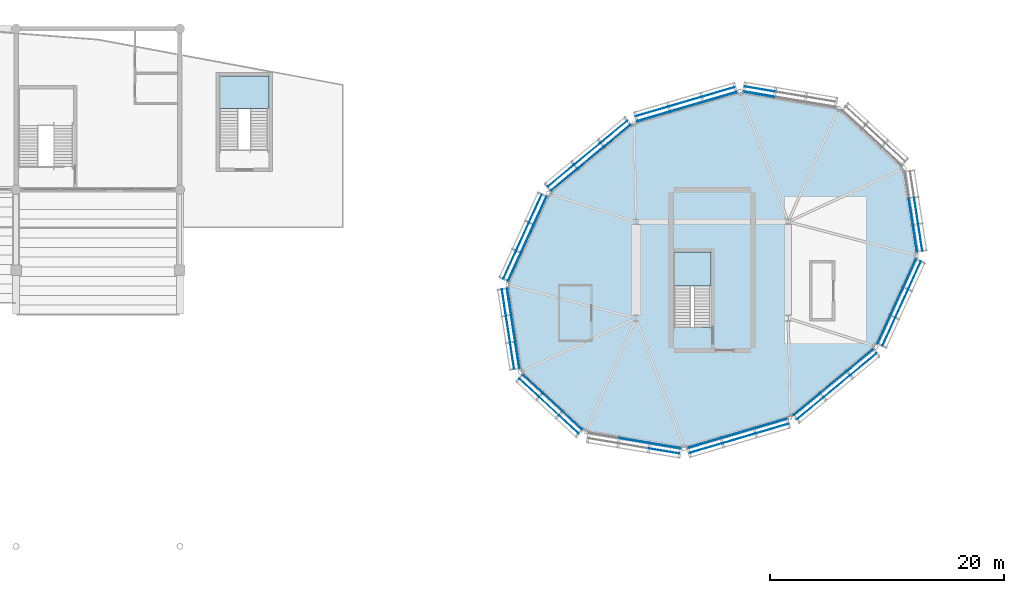
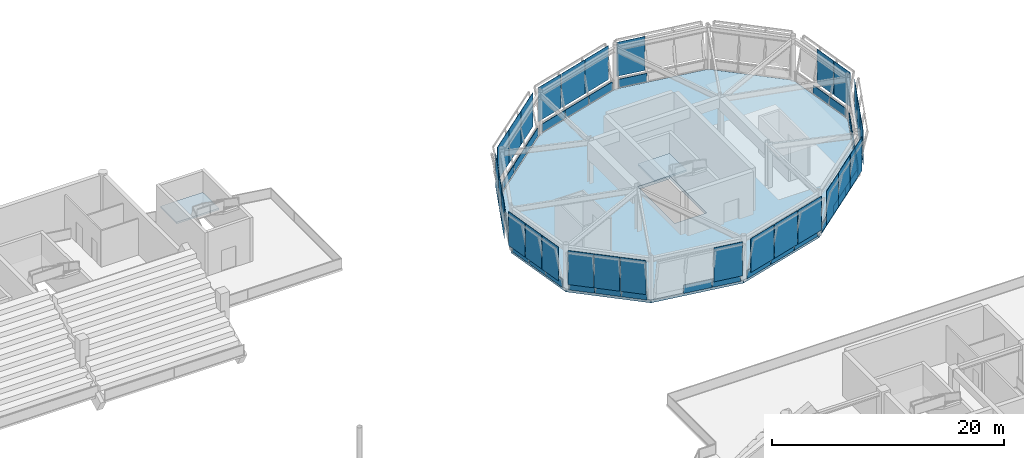
# One storey, part 64 of 94: 57 plates, 3 slabs, 13 elements without a shape of their own.
"""IFC4 building model written with IfcOpenShell, lengths in metres."""

from ifc_helpers import new_model, si_unit, direction, frame, origin, origin_2d, place, context, subcontext, project, spatial, polyline, rectangle, outline, extrude, material, layer, layer_set, type_object, element, aggregate, save


model = new_model("IFC4")

# Units and contexts
model_context = context("Model", 3, precision=1e-05, world=origin(), true_north=direction((0.0, 1.0)))
body_context = subcontext(model_context, "Body", "Model", "MODEL_VIEW")
ifc_project = project(units=[si_unit("LENGTHUNIT", "METRE"), si_unit("AREAUNIT", "SQUARE_METRE"), si_unit("VOLUMEUNIT", "CUBIC_METRE"), si_unit("PLANEANGLEUNIT", "RADIAN"), si_unit("MASSUNIT", "GRAM", prefix="KILO")], contexts=[model_context])

# Site, building, storey
site_placement = place(None, origin())
site = spatial("IfcSite", under=ifc_project, at=site_placement, CompositionType="ELEMENT")
building_placement = place(site_placement, origin())
building = spatial("IfcBuilding", under=site, at=building_placement, Name="Linyun Crest Stadium", CompositionType="ELEMENT")
storey_placement = place(building_placement, frame((0.0, 0.0, 16.199951171875)))
storey = spatial("IfcBuildingStorey", under=building, at=storey_placement, Name="L04", CompositionType="ELEMENT", Elevation=16.199951171875)

# Slab
ifc_material_1 = material(Name="Concrete C40", Category="concrete")
ifc_layer_1 = layer(ifc_material_1, 0.320068359375)
ifc_layer_set_1 = layer_set([ifc_layer_1], Name="Concrete C40")
slab_type_1 = type_object("IfcSlabType", Name="FS06", PredefinedType="FLOOR", material=ifc_layer_set_1)
slab_1_placement = place(storey_placement, frame((0.0, 0.0, -0.320068359375)))
element("IfcSlab", 1, at=slab_1_placement, inside=storey, type_object=slab_type_1, Name="Slab FS06 V5 L04 58", PredefinedType="FLOOR", context=body_context, shape_type="SweptSolid", body=[
    extrude(outline(polyline([(89.8349609375, 93.31005859375), (84.31298828125, 98.416015625), (75.89404296875, 99.825927734375), (66.833984375, 97.1630859375), (59.55908203125, 91.139892578125), (56.02099609375, 83.3720703125), (57.1650390625, 75.93994140625), (62.68701171875, 70.833984375), (71.10595703125, 69.424072265625), (80.166015625, 72.0869140625), (87.44091796875, 78.110107421875), (90.97900390625, 85.8779296875), (89.8349609375, 93.31005859375)]), holes=[polyline([(70.22509765625, 79.77001953125), (70.22509765625, 86.14990234375), (73.39990234375, 86.14990234375), (73.39990234375, 79.77001953125), (70.22509765625, 79.77001953125)])]), origin(), (0.0, 0.0, 1.0), 0.320068359375),
])

# Curtain wall, plate
ifc_material_2 = material(Name="Verdigris steel and low-E curtain wall assembly", Category="steel")
curtain_wall_type = type_object("IfcCurtainWallType", Name="MCW04", PredefinedType="NOTDEFINED", material=ifc_material_2)
curtain_wall_1_placement = place(storey_placement, origin())
curtain_wall_1 = element("IfcCurtainWall", 2, at=curtain_wall_1_placement, inside=storey, type_object=curtain_wall_type, Name="CWR-038", PredefinedType="NOTDEFINED")
ifc_material_3 = material(Name="Acoustic laminated low-E broadcast glass", Category="glass")
ifc_layer_2 = layer(ifc_material_3, 0.030029296875)
ifc_layer_set_2 = layer_set([ifc_layer_2], Name="Acoustic laminated low-E broadcast glass")
plate_type_1 = type_object("IfcPlateType", Name="GP02", PredefinedType="CURTAIN_PANEL", material=ifc_layer_set_2)
plate_1_placement = place(storey_placement, frame((77.5849609375, 100.094970703125, 0.888427734375), z_axis=(0.0, 0.0, 1.0), x_axis=(-0.986282720763, 0.165064819767, 0.0)))
plate_1 = element("IfcPlate", 3, at=plate_1_placement, type_object=plate_type_1, Name="CWR-038 panel 3.2", PredefinedType="CURTAIN_PANEL", context=body_context, shape_type="SweptSolid", body=[
    extrude(rectangle(XDim=2.59521484375, YDim=0.030029296875, at=origin_2d()), origin(), (0.0, 0.0, 1.0), 3.5830078125),
])

# Curtain wall, plates
curtain_wall_2_placement = place(storey_placement, origin())
curtain_wall_2 = element("IfcCurtainWall", 4, at=curtain_wall_2_placement, inside=storey, type_object=curtain_wall_type, Name="CWR-039", PredefinedType="NOTDEFINED")
plate_2_placement = place(storey_placement, frame((74.0380859375, 99.84912109375, 0.888427734375), z_axis=(0.0, 0.0, 1.0), x_axis=(-0.959437077917, -0.281922850294, 0.0)))
plate_2 = element("IfcPlate", 5, at=plate_2_placement, type_object=plate_type_1, Name="CWR-039 panel 1.2", PredefinedType="CURTAIN_PANEL", context=body_context, shape_type="SweptSolid", body=[
    extrude(rectangle(XDim=2.897705078125, YDim=0.030029296875, at=origin_2d()), origin(), (0.0, 0.0, 1.0), 3.5830078125),
])
plate_3_placement = place(storey_placement, frame((71.2099609375, 99.01806640625, 0.888427734375), z_axis=(0.0, 0.0, 1.0), x_axis=(-0.959437077917, -0.281922850294, 0.0)))
plate_3 = element("IfcPlate", 6, at=plate_3_placement, type_object=plate_type_1, Name="CWR-039 panel 2.2", PredefinedType="CURTAIN_PANEL", context=body_context, shape_type="SweptSolid", body=[
    extrude(rectangle(XDim=2.897705078125, YDim=0.030029296875, at=origin_2d()), origin(), (0.0, 0.0, 1.0), 3.5830078125),
])
plate_4_placement = place(storey_placement, frame((68.382080078125, 98.18701171875, 0.888427734375), z_axis=(0.0, 0.0, 1.0), x_axis=(-0.959437077917, -0.281922850294, 0.0)))
plate_4 = element("IfcPlate", 7, at=plate_4_placement, type_object=plate_type_1, Name="CWR-039 panel 3.2", PredefinedType="CURTAIN_PANEL", context=body_context, shape_type="SweptSolid", body=[
    extrude(rectangle(XDim=2.897705078125, YDim=0.030029296875, at=origin_2d()), origin(), (0.0, 0.0, 1.0), 3.5830078125),
])

curtain_wall_3_placement = place(storey_placement, origin())
curtain_wall_3 = element("IfcCurtainWall", 8, at=curtain_wall_3_placement, inside=storey, type_object=curtain_wall_type, Name="CWR-040", PredefinedType="NOTDEFINED")
plate_5_placement = place(storey_placement, frame((65.1201171875, 96.451904296875, 0.888427734375), z_axis=(0.0, 0.0, 1.0), x_axis=(-0.77024617165, -0.637746685651, 0.0)))
plate_5 = element("IfcPlate", 9, at=plate_5_placement, type_object=plate_type_1, Name="CWR-040 panel 1.2", PredefinedType="CURTAIN_PANEL", context=body_context, shape_type="SweptSolid", body=[
    extrude(rectangle(XDim=2.8984375, YDim=0.030029296875, at=origin_2d()), origin(), (0.0, 0.0, 1.0), 3.5830078125),
])
plate_6_placement = place(storey_placement, frame((62.84912109375, 94.571044921875, 0.888427734375), z_axis=(0.0, 0.0, 1.0), x_axis=(-0.77024617165, -0.637746685651, 0.0)))
plate_6 = element("IfcPlate", 10, at=plate_6_placement, type_object=plate_type_1, Name="CWR-040 panel 2.2", PredefinedType="CURTAIN_PANEL", context=body_context, shape_type="SweptSolid", body=[
    extrude(rectangle(XDim=2.8984375, YDim=0.030029296875, at=origin_2d()), origin(), (0.0, 0.0, 1.0), 3.5830078125),
])
plate_7_placement = place(storey_placement, frame((60.577880859375, 92.69091796875, 0.888427734375), z_axis=(0.0, 0.0, 1.0), x_axis=(-0.77024617165, -0.637746685651, 0.0)))
plate_7 = element("IfcPlate", 11, at=plate_7_placement, type_object=plate_type_1, Name="CWR-040 panel 3.2", PredefinedType="CURTAIN_PANEL", context=body_context, shape_type="SweptSolid", body=[
    extrude(rectangle(XDim=2.8984375, YDim=0.030029296875, at=origin_2d()), origin(), (0.0, 0.0, 1.0), 3.5830078125),
])

curtain_wall_4_placement = place(storey_placement, origin())
curtain_wall_4 = element("IfcCurtainWall", 12, at=curtain_wall_4_placement, inside=storey, type_object=curtain_wall_type, Name="CWR-041", PredefinedType="NOTDEFINED")
plate_8_placement = place(storey_placement, frame((58.389892578125, 89.888916015625, 0.888427734375), z_axis=(0.0, 0.0, 1.0), x_axis=(-0.414566184052, -0.910019164106, 0.0)))
plate_8 = element("IfcPlate", 13, at=plate_8_placement, type_object=plate_type_1, Name="CWR-041 panel 1.2", PredefinedType="CURTAIN_PANEL", context=body_context, shape_type="SweptSolid", body=[
    extrude(rectangle(XDim=2.595458984375, YDim=0.030029296875, at=origin_2d()), origin(), (0.0, 0.0, 1.0), 3.5830078125),
])
plate_9_placement = place(storey_placement, frame((57.2939453125, 87.48193359375, 0.888427734375), z_axis=(0.0, 0.0, 1.0), x_axis=(-0.414566184052, -0.910019164106, 0.0)))
plate_9 = element("IfcPlate", 14, at=plate_9_placement, type_object=plate_type_1, Name="CWR-041 panel 2.2", PredefinedType="CURTAIN_PANEL", context=body_context, shape_type="SweptSolid", body=[
    extrude(rectangle(XDim=2.595458984375, YDim=0.030029296875, at=origin_2d()), origin(), (0.0, 0.0, 1.0), 3.5830078125),
])
plate_10_placement = place(storey_placement, frame((56.197021484375, 85.074951171875, 0.888427734375), z_axis=(0.0, 0.0, 1.0), x_axis=(-0.414566184052, -0.910019164106, 0.0)))
plate_10 = element("IfcPlate", 15, at=plate_10_placement, type_object=plate_type_1, Name="CWR-041 panel 3.2", PredefinedType="CURTAIN_PANEL", context=body_context, shape_type="SweptSolid", body=[
    extrude(rectangle(XDim=2.595458984375, YDim=0.030029296875, at=origin_2d()), origin(), (0.0, 0.0, 1.0), 3.5830078125),
])

curtain_wall_5_placement = place(storey_placement, origin())
curtain_wall_5 = element("IfcCurtainWall", 16, at=curtain_wall_5_placement, inside=storey, type_object=curtain_wall_type, Name="CWR-042", PredefinedType="NOTDEFINED")
plate_11_placement = place(storey_placement, frame((55.702880859375, 81.85205078125, 0.888427734375), z_axis=(0.0, 0.0, 1.0), x_axis=(0.152054385169, -0.988372128275, 0.0)))
plate_11 = element("IfcPlate", 17, at=plate_11_placement, type_object=plate_type_1, Name="CWR-042 panel 1.2", PredefinedType="CURTAIN_PANEL", context=body_context, shape_type="SweptSolid", body=[
    extrude(rectangle(XDim=2.256103515625, YDim=0.030029296875, at=origin_2d()), origin(), (0.0, 0.0, 1.0), 3.5830078125),
])
plate_12_placement = place(storey_placement, frame((56.053955078125, 79.572998046875, 0.888427734375), z_axis=(0.0, 0.0, 1.0), x_axis=(0.152054385169, -0.988372128275, 0.0)))
plate_12 = element("IfcPlate", 18, at=plate_12_placement, type_object=plate_type_1, Name="CWR-042 panel 2.2", PredefinedType="CURTAIN_PANEL", context=body_context, shape_type="SweptSolid", body=[
    extrude(rectangle(XDim=2.256103515625, YDim=0.030029296875, at=origin_2d()), origin(), (0.0, 0.0, 1.0), 3.5830078125),
])
plate_13_placement = place(storey_placement, frame((56.405029296875, 77.2939453125, 0.888427734375), z_axis=(0.0, 0.0, 1.0), x_axis=(0.152054385169, -0.988372128275, 0.0)))
plate_13 = element("IfcPlate", 19, at=plate_13_placement, type_object=plate_type_1, Name="CWR-042 panel 3.2", PredefinedType="CURTAIN_PANEL", context=body_context, shape_type="SweptSolid", body=[
    extrude(rectangle(XDim=2.256103515625, YDim=0.030029296875, at=origin_2d()), origin(), (0.0, 0.0, 1.0), 3.5830078125),
])

curtain_wall_6_placement = place(storey_placement, origin())
curtain_wall_6 = element("IfcCurtainWall", 20, at=curtain_wall_6_placement, inside=storey, type_object=curtain_wall_type, Name="CWR-043", PredefinedType="NOTDEFINED")
plate_14_placement = place(storey_placement, frame((57.862060546875, 74.552978515625, 0.888427734375), z_axis=(0.0, 0.0, 1.0), x_axis=(0.734298814372, -0.678826377811, 0.0)))
plate_14 = element("IfcPlate", 21, at=plate_14_placement, type_object=plate_type_1, Name="CWR-043 panel 1.2", PredefinedType="CURTAIN_PANEL", context=body_context, shape_type="SweptSolid", body=[
    extrude(rectangle(XDim=2.2568359375, YDim=0.030029296875, at=origin_2d()), origin(), (0.0, 0.0, 1.0), 3.5830078125),
])
plate_15_placement = place(storey_placement, frame((59.555908203125, 72.987060546875, 0.888427734375), z_axis=(0.0, 0.0, 1.0), x_axis=(0.734298814372, -0.678826377811, 0.0)))
plate_15 = element("IfcPlate", 22, at=plate_15_placement, type_object=plate_type_1, Name="CWR-043 panel 2.2", PredefinedType="CURTAIN_PANEL", context=body_context, shape_type="SweptSolid", body=[
    extrude(rectangle(XDim=2.2568359375, YDim=0.030029296875, at=origin_2d()), origin(), (0.0, 0.0, 1.0), 3.5830078125),
])
plate_16_placement = place(storey_placement, frame((61.25, 71.4208984375, 0.888427734375), z_axis=(0.0, 0.0, 1.0), x_axis=(0.734298814372, -0.678826377811, 0.0)))
plate_16 = element("IfcPlate", 23, at=plate_16_placement, type_object=plate_type_1, Name="CWR-043 panel 3.2", PredefinedType="CURTAIN_PANEL", context=body_context, shape_type="SweptSolid", body=[
    extrude(rectangle(XDim=2.2568359375, YDim=0.030029296875, at=origin_2d()), origin(), (0.0, 0.0, 1.0), 3.5830078125),
])

# Curtain wall, plate
curtain_wall_7_placement = place(storey_placement, origin())
curtain_wall_7 = element("IfcCurtainWall", 24, at=curtain_wall_7_placement, inside=storey, type_object=curtain_wall_type, Name="CWR-044", PredefinedType="NOTDEFINED")
plate_17_placement = place(storey_placement, frame((69.4150390625, 69.155029296875, 0.888427734375), z_axis=(0.0, 0.0, 1.0), x_axis=(0.986282720763, -0.165064819767, 0.0)))
plate_17 = element("IfcPlate", 25, at=plate_17_placement, type_object=plate_type_1, Name="CWR-044 panel 3.2", PredefinedType="CURTAIN_PANEL", context=body_context, shape_type="SweptSolid", body=[
    extrude(rectangle(XDim=2.59521484375, YDim=0.030029296875, at=origin_2d()), origin(), (0.0, 0.0, 1.0), 3.5830078125),
])

# Curtain wall, plates
curtain_wall_8_placement = place(storey_placement, origin())
curtain_wall_8 = element("IfcCurtainWall", 26, at=curtain_wall_8_placement, inside=storey, type_object=curtain_wall_type, Name="CWR-045", PredefinedType="NOTDEFINED")
plate_18_placement = place(storey_placement, frame((72.9619140625, 69.40087890625, 0.888427734375), z_axis=(0.0, 0.0, 1.0), x_axis=(0.959437077917, 0.281922850294, 0.0)))
plate_18 = element("IfcPlate", 27, at=plate_18_placement, type_object=plate_type_1, Name="CWR-045 panel 1.2", PredefinedType="CURTAIN_PANEL", context=body_context, shape_type="SweptSolid", body=[
    extrude(rectangle(XDim=2.897705078125, YDim=0.030029296875, at=origin_2d()), origin(), (0.0, 0.0, 1.0), 3.5830078125),
])
plate_19_placement = place(storey_placement, frame((75.7900390625, 70.23193359375, 0.888427734375), z_axis=(0.0, 0.0, 1.0), x_axis=(0.959437077917, 0.281922850294, 0.0)))
plate_19 = element("IfcPlate", 28, at=plate_19_placement, type_object=plate_type_1, Name="CWR-045 panel 2.2", PredefinedType="CURTAIN_PANEL", context=body_context, shape_type="SweptSolid", body=[
    extrude(rectangle(XDim=2.897705078125, YDim=0.030029296875, at=origin_2d()), origin(), (0.0, 0.0, 1.0), 3.5830078125),
])
plate_20_placement = place(storey_placement, frame((78.617919921875, 71.06298828125, 0.888427734375), z_axis=(0.0, 0.0, 1.0), x_axis=(0.959437077917, 0.281922850294, 0.0)))
plate_20 = element("IfcPlate", 29, at=plate_20_placement, type_object=plate_type_1, Name="CWR-045 panel 3.2", PredefinedType="CURTAIN_PANEL", context=body_context, shape_type="SweptSolid", body=[
    extrude(rectangle(XDim=2.897705078125, YDim=0.030029296875, at=origin_2d()), origin(), (0.0, 0.0, 1.0), 3.5830078125),
])

curtain_wall_9_placement = place(storey_placement, origin())
curtain_wall_9 = element("IfcCurtainWall", 30, at=curtain_wall_9_placement, inside=storey, type_object=curtain_wall_type, Name="CWR-046", PredefinedType="NOTDEFINED")
plate_21_placement = place(storey_placement, frame((81.8798828125, 72.798095703125, 0.888427734375), z_axis=(0.0, 0.0, 1.0), x_axis=(0.77024617165, 0.637746685651, 0.0)))
plate_21 = element("IfcPlate", 31, at=plate_21_placement, type_object=plate_type_1, Name="CWR-046 panel 1.2", PredefinedType="CURTAIN_PANEL", context=body_context, shape_type="SweptSolid", body=[
    extrude(rectangle(XDim=2.8984375, YDim=0.030029296875, at=origin_2d()), origin(), (0.0, 0.0, 1.0), 3.5830078125),
])
plate_22_placement = place(storey_placement, frame((84.15087890625, 74.678955078125, 0.888427734375), z_axis=(0.0, 0.0, 1.0), x_axis=(0.77024617165, 0.637746685651, 0.0)))
plate_22 = element("IfcPlate", 32, at=plate_22_placement, type_object=plate_type_1, Name="CWR-046 panel 2.2", PredefinedType="CURTAIN_PANEL", context=body_context, shape_type="SweptSolid", body=[
    extrude(rectangle(XDim=2.8984375, YDim=0.030029296875, at=origin_2d()), origin(), (0.0, 0.0, 1.0), 3.5830078125),
])
plate_23_placement = place(storey_placement, frame((86.422119140625, 76.55908203125, 0.888427734375), z_axis=(0.0, 0.0, 1.0), x_axis=(0.77024617165, 0.637746685651, 0.0)))
plate_23 = element("IfcPlate", 33, at=plate_23_placement, type_object=plate_type_1, Name="CWR-046 panel 3.2", PredefinedType="CURTAIN_PANEL", context=body_context, shape_type="SweptSolid", body=[
    extrude(rectangle(XDim=2.8984375, YDim=0.030029296875, at=origin_2d()), origin(), (0.0, 0.0, 1.0), 3.5830078125),
])

curtain_wall_10_placement = place(storey_placement, origin())
curtain_wall_10 = element("IfcCurtainWall", 34, at=curtain_wall_10_placement, inside=storey, type_object=curtain_wall_type, Name="CWR-047", PredefinedType="NOTDEFINED")
plate_24_placement = place(storey_placement, frame((88.610107421875, 79.361083984375, 0.888427734375), z_axis=(0.0, 0.0, 1.0), x_axis=(0.414566184052, 0.910019164106, 0.0)))
plate_24 = element("IfcPlate", 35, at=plate_24_placement, type_object=plate_type_1, Name="CWR-047 panel 1.2", PredefinedType="CURTAIN_PANEL", context=body_context, shape_type="SweptSolid", body=[
    extrude(rectangle(XDim=2.595458984375, YDim=0.030029296875, at=origin_2d()), origin(), (0.0, 0.0, 1.0), 3.5830078125),
])
plate_25_placement = place(storey_placement, frame((89.7060546875, 81.76806640625, 0.888427734375), z_axis=(0.0, 0.0, 1.0), x_axis=(0.414566184052, 0.910019164106, 0.0)))
plate_25 = element("IfcPlate", 36, at=plate_25_placement, type_object=plate_type_1, Name="CWR-047 panel 2.2", PredefinedType="CURTAIN_PANEL", context=body_context, shape_type="SweptSolid", body=[
    extrude(rectangle(XDim=2.595458984375, YDim=0.030029296875, at=origin_2d()), origin(), (0.0, 0.0, 1.0), 3.5830078125),
])
plate_26_placement = place(storey_placement, frame((90.802978515625, 84.175048828125, 0.888427734375), z_axis=(0.0, 0.0, 1.0), x_axis=(0.414566184052, 0.910019164106, 0.0)))
plate_26 = element("IfcPlate", 37, at=plate_26_placement, type_object=plate_type_1, Name="CWR-047 panel 3.2", PredefinedType="CURTAIN_PANEL", context=body_context, shape_type="SweptSolid", body=[
    extrude(rectangle(XDim=2.595458984375, YDim=0.030029296875, at=origin_2d()), origin(), (0.0, 0.0, 1.0), 3.5830078125),
])

curtain_wall_11_placement = place(storey_placement, origin())
curtain_wall_11 = element("IfcCurtainWall", 38, at=curtain_wall_11_placement, inside=storey, type_object=curtain_wall_type, Name="CWR-048", PredefinedType="NOTDEFINED")
plate_27_placement = place(storey_placement, frame((91.297119140625, 87.39794921875, 0.888427734375), z_axis=(0.0, 0.0, 1.0), x_axis=(-0.152054385169, 0.988372128275, 0.0)))
plate_27 = element("IfcPlate", 39, at=plate_27_placement, type_object=plate_type_1, Name="CWR-048 panel 1.2", PredefinedType="CURTAIN_PANEL", context=body_context, shape_type="SweptSolid", body=[
    extrude(rectangle(XDim=2.256103515625, YDim=0.030029296875, at=origin_2d()), origin(), (0.0, 0.0, 1.0), 3.5830078125),
])
plate_28_placement = place(storey_placement, frame((90.946044921875, 89.677001953125, 0.888427734375), z_axis=(0.0, 0.0, 1.0), x_axis=(-0.152054385169, 0.988372128275, 0.0)))
plate_28 = element("IfcPlate", 40, at=plate_28_placement, type_object=plate_type_1, Name="CWR-048 panel 2.2", PredefinedType="CURTAIN_PANEL", context=body_context, shape_type="SweptSolid", body=[
    extrude(rectangle(XDim=2.256103515625, YDim=0.030029296875, at=origin_2d()), origin(), (0.0, 0.0, 1.0), 3.5830078125),
])

# Stair, slab
ifc_material_4 = material(Name="Concrete C40", Category="concrete")
stair_type = type_object("IfcStairType", Name="STA03", PredefinedType="HALF_TURN_STAIR", material=ifc_material_4)
stair_1_placement = place(storey_placement, origin())
stair_1 = element("IfcStair", 41, at=stair_1_placement, inside=storey, type_object=stair_type, Name="Evacuation stair STR-12-L04", PredefinedType="HALF_TURN_STAIR")
ifc_material_5 = material(Name="Concrete C40", Category="concrete")
ifc_layer_3 = layer(ifc_material_5, 0.179931640625)
ifc_layer_set_3 = layer_set([ifc_layer_3], Name="Concrete C40")
slab_type_2 = type_object("IfcSlabType", Name="LS01", PredefinedType="LANDING", material=ifc_layer_set_3)
slab_2_placement = place(storey_placement, frame((0.0, 0.0, 2.219970703125)))
slab_2 = element("IfcSlab", 42, at=slab_2_placement, type_object=slab_type_2, Name="STR-12-L04 half-landing", PredefinedType="LANDING", context=body_context, shape_type="SweptSolid", body=[
    extrude(outline(polyline([(70.22509765625, 83.239990234375), (73.39990234375, 83.239990234375), (73.39990234375, 86.14990234375), (70.22509765625, 86.14990234375), (70.22509765625, 83.239990234375)])), origin(), (0.0, 0.0, 1.0), 0.18017578125),
])
aggregate(stair_1, [slab_2])

stair_2_placement = place(storey_placement, origin())
stair_2 = element("IfcStair", 43, at=stair_2_placement, inside=storey, type_object=stair_type, Name="Vomitory evacuation stair STR-26-L04", PredefinedType="HALF_TURN_STAIR")
slab_3_placement = place(storey_placement, frame((0.0, 0.0, 2.219970703125)))
slab_3 = element("IfcSlab", 44, at=slab_3_placement, type_object=slab_type_2, Name="STR-26-L04 half-landing", PredefinedType="LANDING", context=body_context, shape_type="SweptSolid", body=[
    extrude(outline(polyline([(31.39990234375, 98.419921875), (35.60009765625, 98.419921875), (35.60009765625, 101.199951171875), (31.39990234375, 101.199951171875), (31.39990234375, 98.419921875)])), origin(), (0.0, 0.0, 1.0), 0.18017578125),
])
aggregate(stair_2, [slab_3])

# Plate
ifc_material_6 = material(Name="Verdigris enamelled metal insulated spandrel")
ifc_layer_4 = layer(ifc_material_6, 0.053955078125)
ifc_layer_set_4 = layer_set([ifc_layer_4], Name="Verdigris enamelled metal insulated spandrel")
plate_type_2 = type_object("IfcPlateType", Name="SP03", PredefinedType="SHEET", material=ifc_layer_set_4)
plate_29_placement = place(storey_placement, frame((77.510009765625, 99.64794921875, 0.015625), z_axis=(0.0, 0.0, 1.0), x_axis=(-0.986282720763, 0.165064819767, 0.0)))
plate_29 = element("IfcPlate", 45, at=plate_29_placement, type_object=plate_type_2, Name="CWR-038 panel 3.1", PredefinedType="SHEET", context=body_context, shape_type="SweptSolid", body=[
    extrude(rectangle(XDim=2.59521484375, YDim=0.053955078125, at=origin_2d()), origin(), (0.0, 0.0, 1.0), 0.868408203125),
])

aggregate(curtain_wall_1, [plate_29, plate_1])

plate_30_placement = place(storey_placement, frame((74.166015625, 99.4130859375, 0.015625), z_axis=(0.0, 0.0, 1.0), x_axis=(-0.959437077917, -0.281922850294, 0.0)))
plate_30 = element("IfcPlate", 46, at=plate_30_placement, type_object=plate_type_2, Name="CWR-039 panel 1.1", PredefinedType="SHEET", context=body_context, shape_type="SweptSolid", body=[
    extrude(rectangle(XDim=2.897705078125, YDim=0.053955078125, at=origin_2d()), origin(), (0.0, 0.0, 1.0), 0.868408203125),
])

plate_31_placement = place(storey_placement, frame((71.337890625, 98.58203125, 0.015625), z_axis=(0.0, 0.0, 1.0), x_axis=(-0.959437077917, -0.281922850294, 0.0)))
plate_31 = element("IfcPlate", 47, at=plate_31_placement, type_object=plate_type_2, Name="CWR-039 panel 2.1", PredefinedType="SHEET", context=body_context, shape_type="SweptSolid", body=[
    extrude(rectangle(XDim=2.897705078125, YDim=0.053955078125, at=origin_2d()), origin(), (0.0, 0.0, 1.0), 0.868408203125),
])

plate_32_placement = place(storey_placement, frame((68.510009765625, 97.7509765625, 0.015625), z_axis=(0.0, 0.0, 1.0), x_axis=(-0.959437077917, -0.281922850294, 0.0)))
plate_32 = element("IfcPlate", 48, at=plate_32_placement, type_object=plate_type_2, Name="CWR-039 panel 3.1", PredefinedType="SHEET", context=body_context, shape_type="SweptSolid", body=[
    extrude(rectangle(XDim=2.897705078125, YDim=0.053955078125, at=origin_2d()), origin(), (0.0, 0.0, 1.0), 0.868408203125),
])

aggregate(curtain_wall_2, [plate_30, plate_2, plate_31, plate_3, plate_32, plate_4])

plate_33_placement = place(storey_placement, frame((65.408935546875, 96.10205078125, 0.015625), z_axis=(0.0, 0.0, 1.0), x_axis=(-0.77024617165, -0.637746685651, 0.0)))
plate_33 = element("IfcPlate", 49, at=plate_33_placement, type_object=plate_type_2, Name="CWR-040 panel 1.1", PredefinedType="SHEET", context=body_context, shape_type="SweptSolid", body=[
    extrude(rectangle(XDim=2.8984375, YDim=0.053955078125, at=origin_2d()), origin(), (0.0, 0.0, 1.0), 0.868408203125),
])

plate_34_placement = place(storey_placement, frame((63.137939453125, 94.221923828125, 0.015625), z_axis=(0.0, 0.0, 1.0), x_axis=(-0.77024617165, -0.637746685651, 0.0)))
plate_34 = element("IfcPlate", 50, at=plate_34_placement, type_object=plate_type_2, Name="CWR-040 panel 2.1", PredefinedType="SHEET", context=body_context, shape_type="SweptSolid", body=[
    extrude(rectangle(XDim=2.8984375, YDim=0.053955078125, at=origin_2d()), origin(), (0.0, 0.0, 1.0), 0.868408203125),
])

plate_35_placement = place(storey_placement, frame((60.866943359375, 92.342041015625, 0.015625), z_axis=(0.0, 0.0, 1.0), x_axis=(-0.77024617165, -0.637746685651, 0.0)))
plate_35 = element("IfcPlate", 51, at=plate_35_placement, type_object=plate_type_2, Name="CWR-040 panel 3.1", PredefinedType="SHEET", context=body_context, shape_type="SweptSolid", body=[
    extrude(rectangle(XDim=2.8984375, YDim=0.053955078125, at=origin_2d()), origin(), (0.0, 0.0, 1.0), 0.868408203125),
])

aggregate(curtain_wall_3, [plate_33, plate_5, plate_34, plate_6, plate_35, plate_7])

plate_36_placement = place(storey_placement, frame((58.802978515625, 89.700927734375, 0.015625), z_axis=(0.0, 0.0, 1.0), x_axis=(-0.414566184052, -0.910019164106, 0.0)))
plate_36 = element("IfcPlate", 52, at=plate_36_placement, type_object=plate_type_2, Name="CWR-041 panel 1.1", PredefinedType="SHEET", context=body_context, shape_type="SweptSolid", body=[
    extrude(rectangle(XDim=2.595458984375, YDim=0.053955078125, at=origin_2d()), origin(), (0.0, 0.0, 1.0), 0.868408203125),
])

plate_37_placement = place(storey_placement, frame((57.70703125, 87.2939453125, 0.015625), z_axis=(0.0, 0.0, 1.0), x_axis=(-0.414566184052, -0.910019164106, 0.0)))
plate_37 = element("IfcPlate", 53, at=plate_37_placement, type_object=plate_type_2, Name="CWR-041 panel 2.1", PredefinedType="SHEET", context=body_context, shape_type="SweptSolid", body=[
    extrude(rectangle(XDim=2.595458984375, YDim=0.053955078125, at=origin_2d()), origin(), (0.0, 0.0, 1.0), 0.868408203125),
])

plate_38_placement = place(storey_placement, frame((56.610107421875, 84.886962890625, 0.015625), z_axis=(0.0, 0.0, 1.0), x_axis=(-0.414566184052, -0.910019164106, 0.0)))
plate_38 = element("IfcPlate", 54, at=plate_38_placement, type_object=plate_type_2, Name="CWR-041 panel 3.1", PredefinedType="SHEET", context=body_context, shape_type="SweptSolid", body=[
    extrude(rectangle(XDim=2.595458984375, YDim=0.053955078125, at=origin_2d()), origin(), (0.0, 0.0, 1.0), 0.868408203125),
])

aggregate(curtain_wall_4, [plate_36, plate_8, plate_37, plate_9, plate_38, plate_10])

plate_39_placement = place(storey_placement, frame((56.152099609375, 81.9208984375, 0.015625), z_axis=(0.0, 0.0, 1.0), x_axis=(0.152054385169, -0.988372128275, 0.0)))
plate_39 = element("IfcPlate", 55, at=plate_39_placement, type_object=plate_type_2, Name="CWR-042 panel 1.1", PredefinedType="SHEET", context=body_context, shape_type="SweptSolid", body=[
    extrude(rectangle(XDim=2.256103515625, YDim=0.053955078125, at=origin_2d()), origin(), (0.0, 0.0, 1.0), 0.868408203125),
])

plate_40_placement = place(storey_placement, frame((56.5029296875, 79.64208984375, 0.015625), z_axis=(0.0, 0.0, 1.0), x_axis=(0.152054385169, -0.988372128275, 0.0)))
plate_40 = element("IfcPlate", 56, at=plate_40_placement, type_object=plate_type_2, Name="CWR-042 panel 2.1", PredefinedType="SHEET", context=body_context, shape_type="SweptSolid", body=[
    extrude(rectangle(XDim=2.256103515625, YDim=0.053955078125, at=origin_2d()), origin(), (0.0, 0.0, 1.0), 0.868408203125),
])

plate_41_placement = place(storey_placement, frame((56.85302734375, 77.363037109375, 0.015625), z_axis=(0.0, 0.0, 1.0), x_axis=(0.152054385169, -0.988372128275, 0.0)))
plate_41 = element("IfcPlate", 57, at=plate_41_placement, type_object=plate_type_2, Name="CWR-042 panel 3.1", PredefinedType="SHEET", context=body_context, shape_type="SweptSolid", body=[
    extrude(rectangle(XDim=2.256103515625, YDim=0.053955078125, at=origin_2d()), origin(), (0.0, 0.0, 1.0), 0.868408203125),
])

aggregate(curtain_wall_5, [plate_39, plate_11, plate_40, plate_12, plate_41, plate_13])

plate_42_placement = place(storey_placement, frame((58.169921875, 74.885986328125, 0.015625), z_axis=(0.0, 0.0, 1.0), x_axis=(0.734298814372, -0.678826377811, 0.0)))
plate_42 = element("IfcPlate", 58, at=plate_42_placement, type_object=plate_type_2, Name="CWR-043 panel 1.1", PredefinedType="SHEET", context=body_context, shape_type="SweptSolid", body=[
    extrude(rectangle(XDim=2.2568359375, YDim=0.053955078125, at=origin_2d()), origin(), (0.0, 0.0, 1.0), 0.868408203125),
])

plate_43_placement = place(storey_placement, frame((59.864013671875, 73.320068359375, 0.015625), z_axis=(0.0, 0.0, 1.0), x_axis=(0.734298814372, -0.678826377811, 0.0)))
plate_43 = element("IfcPlate", 59, at=plate_43_placement, type_object=plate_type_2, Name="CWR-043 panel 2.1", PredefinedType="SHEET", context=body_context, shape_type="SweptSolid", body=[
    extrude(rectangle(XDim=2.2568359375, YDim=0.053955078125, at=origin_2d()), origin(), (0.0, 0.0, 1.0), 0.868408203125),
])

plate_44_placement = place(storey_placement, frame((61.55810546875, 71.75390625, 0.015625), z_axis=(0.0, 0.0, 1.0), x_axis=(0.734298814372, -0.678826377811, 0.0)))
plate_44 = element("IfcPlate", 60, at=plate_44_placement, type_object=plate_type_2, Name="CWR-043 panel 3.1", PredefinedType="SHEET", context=body_context, shape_type="SweptSolid", body=[
    extrude(rectangle(XDim=2.2568359375, YDim=0.053955078125, at=origin_2d()), origin(), (0.0, 0.0, 1.0), 0.868408203125),
])

aggregate(curtain_wall_6, [plate_42, plate_14, plate_43, plate_15, plate_44, plate_16])

plate_45_placement = place(storey_placement, frame((66.881103515625, 70.0390625, 0.015625), z_axis=(0.0, 0.0, 1.0), x_axis=(0.986282720763, -0.165064819767, 0.0)))
plate_45 = element("IfcPlate", 61, at=plate_45_placement, type_object=plate_type_2, Name="CWR-044 panel 2.1", PredefinedType="SHEET", context=body_context, shape_type="SweptSolid", body=[
    extrude(rectangle(XDim=2.59521484375, YDim=0.053955078125, at=origin_2d()), origin(), (0.0, 0.0, 1.0), 0.868408203125),
])

plate_46_placement = place(storey_placement, frame((69.489990234375, 69.60205078125, 0.015625), z_axis=(0.0, 0.0, 1.0), x_axis=(0.986282720763, -0.165064819767, 0.0)))
plate_46 = element("IfcPlate", 62, at=plate_46_placement, type_object=plate_type_2, Name="CWR-044 panel 3.1", PredefinedType="SHEET", context=body_context, shape_type="SweptSolid", body=[
    extrude(rectangle(XDim=2.59521484375, YDim=0.053955078125, at=origin_2d()), origin(), (0.0, 0.0, 1.0), 0.868408203125),
])

aggregate(curtain_wall_7, [plate_45, plate_46, plate_17])

plate_47_placement = place(storey_placement, frame((72.833984375, 69.8369140625, 0.015625), z_axis=(0.0, 0.0, 1.0), x_axis=(0.959437077917, 0.281922850294, 0.0)))
plate_47 = element("IfcPlate", 63, at=plate_47_placement, type_object=plate_type_2, Name="CWR-045 panel 1.1", PredefinedType="SHEET", context=body_context, shape_type="SweptSolid", body=[
    extrude(rectangle(XDim=2.897705078125, YDim=0.053955078125, at=origin_2d()), origin(), (0.0, 0.0, 1.0), 0.868408203125),
])

plate_48_placement = place(storey_placement, frame((75.662109375, 70.66796875, 0.015625), z_axis=(0.0, 0.0, 1.0), x_axis=(0.959437077917, 0.281922850294, 0.0)))
plate_48 = element("IfcPlate", 64, at=plate_48_placement, type_object=plate_type_2, Name="CWR-045 panel 2.1", PredefinedType="SHEET", context=body_context, shape_type="SweptSolid", body=[
    extrude(rectangle(XDim=2.897705078125, YDim=0.053955078125, at=origin_2d()), origin(), (0.0, 0.0, 1.0), 0.868408203125),
])

plate_49_placement = place(storey_placement, frame((78.489990234375, 71.4990234375, 0.015625), z_axis=(0.0, 0.0, 1.0), x_axis=(0.959437077917, 0.281922850294, 0.0)))
plate_49 = element("IfcPlate", 65, at=plate_49_placement, type_object=plate_type_2, Name="CWR-045 panel 3.1", PredefinedType="SHEET", context=body_context, shape_type="SweptSolid", body=[
    extrude(rectangle(XDim=2.897705078125, YDim=0.053955078125, at=origin_2d()), origin(), (0.0, 0.0, 1.0), 0.868408203125),
])

aggregate(curtain_wall_8, [plate_47, plate_18, plate_48, plate_19, plate_49, plate_20])

plate_50_placement = place(storey_placement, frame((81.591064453125, 73.14794921875, 0.015625), z_axis=(0.0, 0.0, 1.0), x_axis=(0.77024617165, 0.637746685651, 0.0)))
plate_50 = element("IfcPlate", 66, at=plate_50_placement, type_object=plate_type_2, Name="CWR-046 panel 1.1", PredefinedType="SHEET", context=body_context, shape_type="SweptSolid", body=[
    extrude(rectangle(XDim=2.8984375, YDim=0.053955078125, at=origin_2d()), origin(), (0.0, 0.0, 1.0), 0.868408203125),
])

plate_51_placement = place(storey_placement, frame((83.862060546875, 75.028076171875, 0.015625), z_axis=(0.0, 0.0, 1.0), x_axis=(0.77024617165, 0.637746685651, 0.0)))
plate_51 = element("IfcPlate", 67, at=plate_51_placement, type_object=plate_type_2, Name="CWR-046 panel 2.1", PredefinedType="SHEET", context=body_context, shape_type="SweptSolid", body=[
    extrude(rectangle(XDim=2.8984375, YDim=0.053955078125, at=origin_2d()), origin(), (0.0, 0.0, 1.0), 0.868408203125),
])

plate_52_placement = place(storey_placement, frame((86.133056640625, 76.907958984375, 0.015625), z_axis=(0.0, 0.0, 1.0), x_axis=(0.77024617165, 0.637746685651, 0.0)))
plate_52 = element("IfcPlate", 68, at=plate_52_placement, type_object=plate_type_2, Name="CWR-046 panel 3.1", PredefinedType="SHEET", context=body_context, shape_type="SweptSolid", body=[
    extrude(rectangle(XDim=2.8984375, YDim=0.053955078125, at=origin_2d()), origin(), (0.0, 0.0, 1.0), 0.868408203125),
])

aggregate(curtain_wall_9, [plate_50, plate_21, plate_51, plate_22, plate_52, plate_23])

plate_53_placement = place(storey_placement, frame((88.197021484375, 79.549072265625, 0.015625), z_axis=(0.0, 0.0, 1.0), x_axis=(0.414566184052, 0.910019164106, 0.0)))
plate_53 = element("IfcPlate", 69, at=plate_53_placement, type_object=plate_type_2, Name="CWR-047 panel 1.1", PredefinedType="SHEET", context=body_context, shape_type="SweptSolid", body=[
    extrude(rectangle(XDim=2.595458984375, YDim=0.053955078125, at=origin_2d()), origin(), (0.0, 0.0, 1.0), 0.868408203125),
])

plate_54_placement = place(storey_placement, frame((89.29296875, 81.9560546875, 0.015625), z_axis=(0.0, 0.0, 1.0), x_axis=(0.414566184052, 0.910019164106, 0.0)))
plate_54 = element("IfcPlate", 70, at=plate_54_placement, type_object=plate_type_2, Name="CWR-047 panel 2.1", PredefinedType="SHEET", context=body_context, shape_type="SweptSolid", body=[
    extrude(rectangle(XDim=2.595458984375, YDim=0.053955078125, at=origin_2d()), origin(), (0.0, 0.0, 1.0), 0.868408203125),
])

plate_55_placement = place(storey_placement, frame((90.389892578125, 84.363037109375, 0.015625), z_axis=(0.0, 0.0, 1.0), x_axis=(0.414566184052, 0.910019164106, 0.0)))
plate_55 = element("IfcPlate", 71, at=plate_55_placement, type_object=plate_type_2, Name="CWR-047 panel 3.1", PredefinedType="SHEET", context=body_context, shape_type="SweptSolid", body=[
    extrude(rectangle(XDim=2.595458984375, YDim=0.053955078125, at=origin_2d()), origin(), (0.0, 0.0, 1.0), 0.868408203125),
])

aggregate(curtain_wall_10, [plate_53, plate_24, plate_54, plate_25, plate_55, plate_26])

plate_56_placement = place(storey_placement, frame((90.847900390625, 87.3291015625, 0.015625), z_axis=(0.0, 0.0, 1.0), x_axis=(-0.152054385169, 0.988372128275, 0.0)))
plate_56 = element("IfcPlate", 72, at=plate_56_placement, type_object=plate_type_2, Name="CWR-048 panel 1.1", PredefinedType="SHEET", context=body_context, shape_type="SweptSolid", body=[
    extrude(rectangle(XDim=2.256103515625, YDim=0.053955078125, at=origin_2d()), origin(), (0.0, 0.0, 1.0), 0.868408203125),
])

plate_57_placement = place(storey_placement, frame((90.4970703125, 89.60791015625, 0.015625), z_axis=(0.0, 0.0, 1.0), x_axis=(-0.152054385169, 0.988372128275, 0.0)))
plate_57 = element("IfcPlate", 73, at=plate_57_placement, type_object=plate_type_2, Name="CWR-048 panel 2.1", PredefinedType="SHEET", context=body_context, shape_type="SweptSolid", body=[
    extrude(rectangle(XDim=2.256103515625, YDim=0.053955078125, at=origin_2d()), origin(), (0.0, 0.0, 1.0), 0.868408203125),
])

aggregate(curtain_wall_11, [plate_56, plate_27, plate_57, plate_28])

save(model, "model.ifc")
